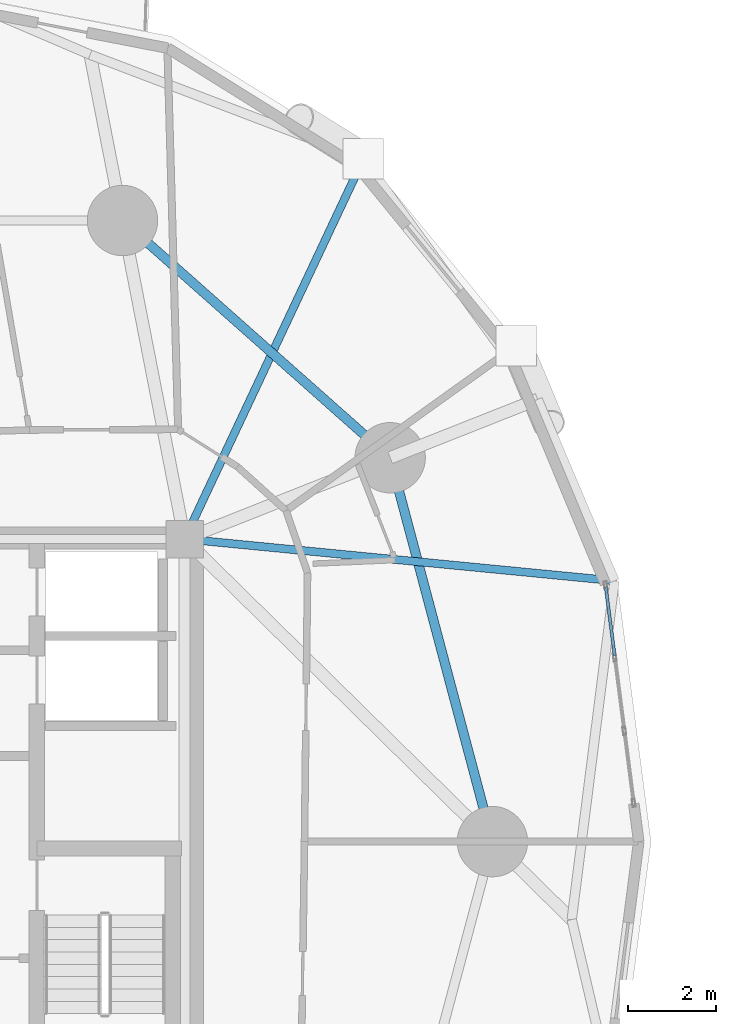
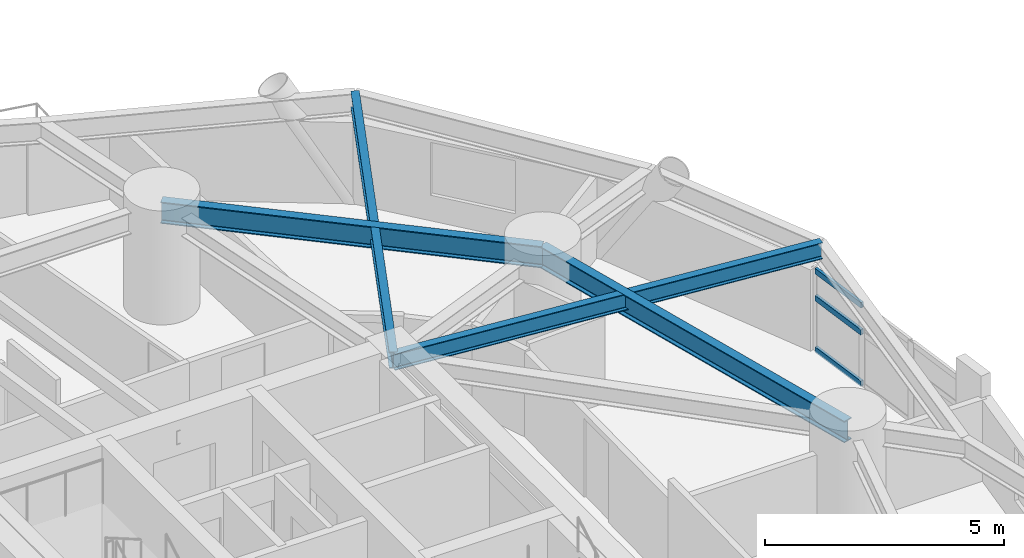
# One storey, part 3 of 19: 4 beams, 3 members, 1 element without a shape of its own.
"""IFC4 building model written with IfcOpenShell, lengths in metres."""

from ifc_helpers import new_model, si_unit, direction, frame, origin, origin_2d, place, context, subcontext, project, spatial, hollow_rectangle, i_section, extrude, material, layer, layer_set, material_profile, profile_set, type_object, element, aggregate, save


model = new_model("IFC4")

# Units and contexts
model_context = context("Model", 3, precision=1e-05, world=origin(), true_north=direction((0.0, 1.0)))
body_context = subcontext(model_context, "Body", "Model", "MODEL_VIEW")
ifc_project = project(units=[si_unit("LENGTHUNIT", "METRE"), si_unit("AREAUNIT", "SQUARE_METRE"), si_unit("VOLUMEUNIT", "CUBIC_METRE"), si_unit("PLANEANGLEUNIT", "RADIAN"), si_unit("MASSUNIT", "GRAM", prefix="KILO")], contexts=[model_context])

# Site, building, storey
site_placement = place(None, origin())
site = spatial("IfcSite", under=ifc_project, at=site_placement, CompositionType="ELEMENT")
building_placement = place(site_placement, origin())
building = spatial("IfcBuilding", under=site, at=building_placement, Name="Cununo Teusaquillo Station Towers", CompositionType="ELEMENT")
storey_placement = place(building_placement, frame((0.0, 0.0, 30.72998046875)))
storey = spatial("IfcBuildingStorey", under=building, at=storey_placement, Name="L08", CompositionType="ELEMENT", Elevation=30.72998046875)

# Beams
ifc_material_1 = material(Name="Steel ASTM A572 Grade 50", Category="steel")
ifc_material_profile_1 = material_profile(ifc_material_1, i_section(OverallWidth=0.180908203125, OverallDepth=0.4169921875, WebThickness=0.010986328125, FlangeThickness=0.018310546875, FilletRadius=0.012939453125, at=origin_2d()), Name="W16X57")
ifc_profile_set_1 = profile_set([ifc_material_profile_1], Name="Steel ASTM A572 Grade 50")
beam_type_1 = type_object("IfcBeamType", Name="BM-JOIST-1", PredefinedType="JOIST", material=ifc_profile_set_1)
beam_1_placement = place(storey_placement, frame((21.675048828125, 31.3798828125, 2.44140625), z_axis=(0.995310719276, -0.096729375545, 0.0), x_axis=(0.096729375545, 0.995310719276, 0.0)))
element("IfcBeam", 1, at=beam_1_placement, inside=storey, type_object=beam_type_1, Name="L08 Tower A Radial Spandrel Joist V01", PredefinedType="JOIST", context=body_context, shape_type="SweptSolid", body=[
    extrude(i_section(OverallWidth=0.180908203125, OverallDepth=0.4169921875, WebThickness=0.010986328125, FlangeThickness=0.018310546875, FilletRadius=0.012939453125, at=origin_2d()), origin(), (0.0, 0.0, 1.0), 9.82080078125),
])
beam_2_placement = place(storey_placement, frame((21.675048828125, 31.3798828125, 2.44140625), z_axis=(0.425472080871, 0.904971551155, 0.0), x_axis=(-0.904971551155, 0.425472080871, 0.0)))
element("IfcBeam", 2, at=beam_2_placement, inside=storey, type_object=beam_type_1, Name="L08 Tower A Radial Spandrel Joist V03", PredefinedType="JOIST", context=body_context, shape_type="SweptSolid", body=[
    extrude(i_section(OverallWidth=0.180908203125, OverallDepth=0.4169921875, WebThickness=0.010986328125, FlangeThickness=0.018310546875, FilletRadius=0.012939453125, at=origin_2d()), origin(), (0.0, 0.0, 1.0), 9.552734375),
])
ifc_material_2 = material(Name="Steel ASTM A572 Grade 50", Category="steel")
ifc_material_profile_2 = material_profile(ifc_material_2, i_section(OverallWidth=0.214111328125, OverallDepth=0.549072265625, WebThickness=0.0146484375, FlangeThickness=0.023681640625, FilletRadius=0.014892578125, at=origin_2d()), Name="W21X93")
ifc_profile_set_2 = profile_set([ifc_material_profile_2], Name="Steel ASTM A572 Grade 50")
beam_type_2 = type_object("IfcBeamType", Name="BM-RING-Z1", PredefinedType="SPANDREL", material=ifc_profile_set_2)
beam_3_placement = place(storey_placement, frame((28.672119140625, 24.5, 2.37548828125), z_axis=(-0.257363196347, 0.966314744359, 0.0), x_axis=(-0.966314744359, -0.257363196347, 0.0)))
element("IfcBeam", 3, at=beam_3_placement, inside=storey, type_object=beam_type_2, Name="L08 Tower A Structural Column Ring Girder 01", PredefinedType="SPANDREL", context=body_context, shape_type="SweptSolid", body=[
    extrude(i_section(OverallWidth=0.214111328125, OverallDepth=0.549072265625, WebThickness=0.0146484375, FlangeThickness=0.023681640625, FilletRadius=0.014892578125, at=origin_2d()), origin(), (0.0, 0.0, 1.0), 9.03271484375),
])
beam_4_placement = place(storey_placement, frame((26.347412109375, 33.228515625, 2.37548828125), z_axis=(-0.74832120039, 0.66333655187, 0.0), x_axis=(-0.66333655187, -0.74832120039, 0.0)))
element("IfcBeam", 4, at=beam_4_placement, inside=storey, type_object=beam_type_2, Name="L08 Tower A Structural Column Ring Girder 02", PredefinedType="SPANDREL", context=body_context, shape_type="SweptSolid", body=[
    extrude(i_section(OverallWidth=0.214111328125, OverallDepth=0.549072265625, WebThickness=0.0146484375, FlangeThickness=0.023681640625, FilletRadius=0.014892578125, at=origin_2d()), origin(), (0.0, 0.0, 1.0), 8.1328125),
])

# Curtain wall, members
ifc_material_3 = material(Name="Ceramic-fritted dark low-E double glazing", Category="glass")
ifc_layer = layer(ifc_material_3, 0.179931640625)
ifc_layer_set = layer_set([ifc_layer], Name="Ceramic-fritted dark low-E double glazing")
curtain_wall_type = type_object("IfcCurtainWallType", Name="CW-SYS-02", PredefinedType="USERDEFINED", material=ifc_layer_set)
curtain_wall_placement = place(storey_placement, origin())
curtain_wall = element("IfcCurtainWall", 5, at=curtain_wall_placement, inside=storey, type_object=curtain_wall_type, Name="L08 Tower A Facade Curtain Wall C00", ObjectType="FRITTED GLAZING", PredefinedType="USERDEFINED")
ifc_material_4 = material(Name="Anodised dark bronze aluminium EN AW-6063-T6", Category="aluminium")
ifc_material_profile_3 = material_profile(ifc_material_4, hollow_rectangle(XDim=0.070068359375, YDim=0.139892578125, WallThickness=0.00390625, at=origin_2d()), Name="CW-TRAN-70x140")
ifc_profile_set_3 = profile_set([ifc_material_profile_3], Name="Anodised dark bronze aluminium EN AW-6063-T6")
member_type = type_object("IfcMemberType", Name="CWT-140", PredefinedType="USERDEFINED", material=ifc_profile_set_3)
member_1_placement = place(storey_placement, frame((31.249267578125, 30.292724609375, 0.034912109375), z_axis=(0.128402247984, -0.991722170123, 0.0), x_axis=(0.991722170123, 0.128402247984, 0.0)))
member_1 = element("IfcMember", 6, at=member_1_placement, type_object=member_type, Name="CW-02 transom 1.1", ObjectType="TRANSOM", PredefinedType="USERDEFINED", context=body_context, shape_type="SweptSolid", body=[
    extrude(hollow_rectangle(XDim=0.070068359375, YDim=0.139892578125, WallThickness=0.00390625, at=origin_2d()), origin(), (0.0, 0.0, 1.0), 1.58203125),
])
member_2_placement = place(storey_placement, frame((31.249267578125, 30.292724609375, 1.346923828125), z_axis=(0.128402247984, -0.991722170123, 0.0), x_axis=(0.991722170123, 0.128402247984, 0.0)))
member_2 = element("IfcMember", 7, at=member_2_placement, type_object=member_type, Name="CW-02 transom 1.2", ObjectType="TRANSOM", PredefinedType="USERDEFINED", context=body_context, shape_type="SweptSolid", body=[
    extrude(hollow_rectangle(XDim=0.070068359375, YDim=0.139892578125, WallThickness=0.00390625, at=origin_2d()), origin(), (0.0, 0.0, 1.0), 1.58203125),
])
member_3_placement = place(storey_placement, frame((31.249267578125, 30.292724609375, 2.0380859375), z_axis=(0.128402247984, -0.991722170123, 0.0), x_axis=(0.991722170123, 0.128402247984, 0.0)))
member_3 = element("IfcMember", 8, at=member_3_placement, type_object=member_type, Name="CW-02 transom 1.3", ObjectType="TRANSOM", PredefinedType="USERDEFINED", context=body_context, shape_type="SweptSolid", body=[
    extrude(hollow_rectangle(XDim=0.070068359375, YDim=0.139892578125, WallThickness=0.00390625, at=origin_2d()), origin(), (0.0, 0.0, 1.0), 1.58203125),
])
aggregate(curtain_wall, [member_1, member_2, member_3])

save(model, "model.ifc")
